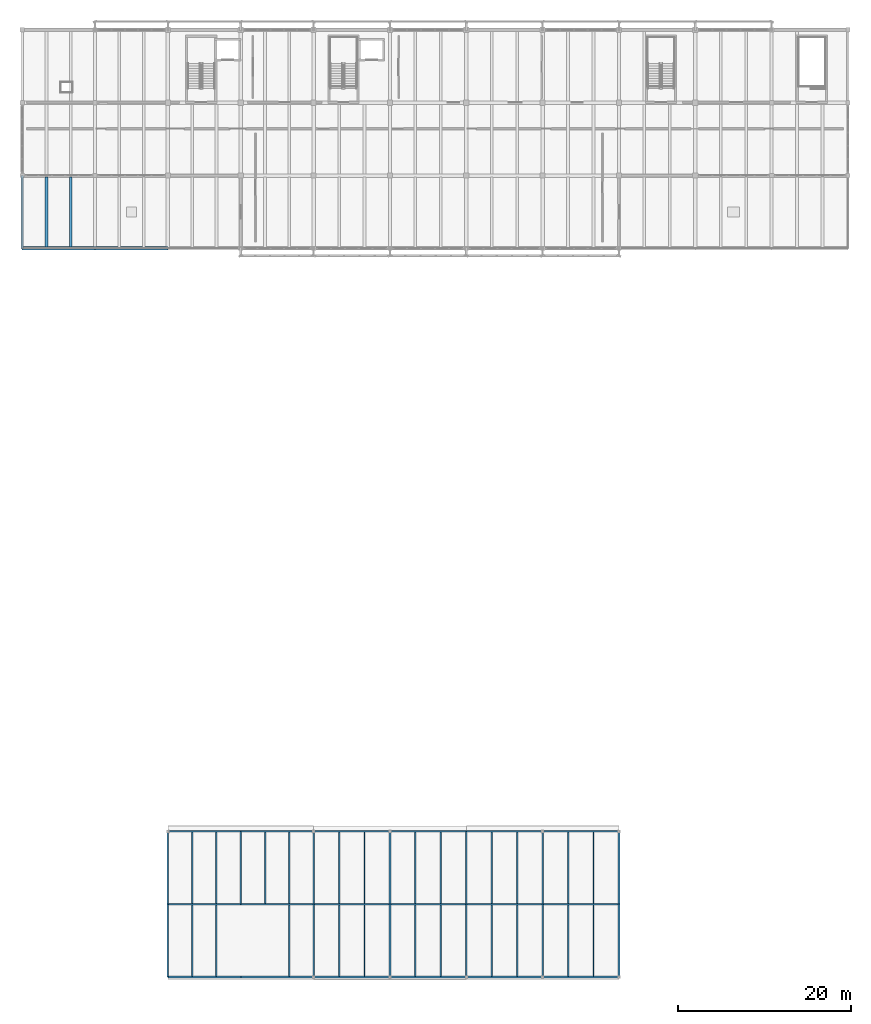
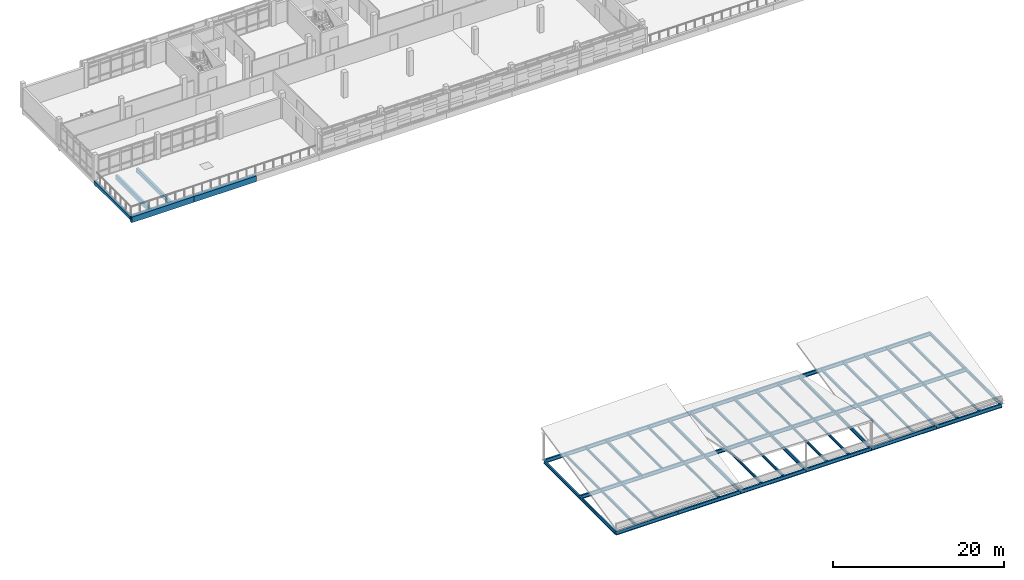
# One storey, part 7 of 50: 59 beams.
"""IFC4 building model written with IfcOpenShell, lengths in metres."""

from ifc_helpers import new_model, si_unit, direction, frame, origin, origin_2d, place, context, subcontext, project, spatial, rectangle, i_section, extrude, material, material_profile, profile_set, type_object, element, save


model = new_model("IFC4")

# Units and contexts
model_context = context("Model", 3, precision=1e-05, world=origin(), true_north=direction((0.0, 1.0)))
body_context = subcontext(model_context, "Body", "Model", "MODEL_VIEW")
ifc_project = project(units=[si_unit("LENGTHUNIT", "METRE"), si_unit("AREAUNIT", "SQUARE_METRE"), si_unit("VOLUMEUNIT", "CUBIC_METRE"), si_unit("PLANEANGLEUNIT", "RADIAN"), si_unit("MASSUNIT", "GRAM", prefix="KILO")], contexts=[model_context])

# Site, building, storey
site_placement = place(None, origin())
site = spatial("IfcSite", under=ifc_project, at=site_placement, CompositionType="ELEMENT")
building_placement = place(site_placement, origin())
building = spatial("IfcBuilding", under=site, at=building_placement, Name="Cinderway Yard Community Centre", CompositionType="ELEMENT")
storey_placement = place(building_placement, frame((0.0, 0.0, 12.89990234375)))
storey = spatial("IfcBuildingStorey", under=building, at=storey_placement, Name="L03", CompositionType="ELEMENT", Elevation=12.89990234375)

# Beams
ifc_material_1 = material(Name="Concrete C40/50", Category="concrete")
ifc_material_profile_1 = material_profile(ifc_material_1, rectangle(XDim=0.25, YDim=0.449951171875, at=origin_2d()), Name="Concrete C40/50")
ifc_profile_set_1 = profile_set([ifc_material_profile_1], Name="Concrete C40/50")
beam_type_1 = type_object("IfcBeamType", Name="STR-BM-RC250X450", PredefinedType="SPANDREL", material=ifc_profile_set_1)
beam_1_placement = place(storey_placement, frame((41.60009765625, 90.0, -0.46484375), z_axis=(0.0, 1.0, 0.0), x_axis=(-1.0, 0.0, 0.0)))
element("IfcBeam", 1, at=beam_1_placement, inside=storey, type_object=beam_type_1, Name="Transverse girder STR-BM-L03-SP02-0714", PredefinedType="SPANDREL", context=body_context, shape_type="SweptSolid", body=[
    extrude(rectangle(XDim=0.25, YDim=0.449951171875, at=origin_2d()), origin(), (0.0, 0.0, 1.0), 8.39990234375),
])
ifc_material_2 = material(Name="Concrete C35/45", Category="concrete")
ifc_material_profile_2 = material_profile(ifc_material_2, rectangle(XDim=0.300048828125, YDim=0.60009765625, at=origin_2d()), Name="Concrete C35/45")
ifc_profile_set_2 = profile_set([ifc_material_profile_2], Name="Concrete C35/45")
beam_type_2 = type_object("IfcBeamType", Name="STR-BM-RC300X600", PredefinedType="JOIST", material=ifc_profile_set_2)
for number, where, z_axis, x_axis, name in (
    (2, (44.39990234375, 90.181884765625, -0.539794921875), (0.0, 1.0, 0.0), (-1.0, 0.0, 0.0), "Secondary joist STR-BM-L03-BJ02-0750"),
    (3, (47.199951171875, 90.181884765625, -0.539794921875), (0.0, 1.0, 0.0), (-1.0, 0.0, 0.0), "Secondary joist STR-BM-L03-BJ02-0751"),
):
    element("IfcBeam", number, at=place(storey_placement, frame(where, z_axis=z_axis, x_axis=x_axis)), inside=storey, type_object=beam_type_2, Name=name, PredefinedType="JOIST", context=body_context, shape_type="SweptSolid", body=[
        extrude(rectangle(XDim=0.300048828125, YDim=0.60009765625, at=origin_2d()), origin(), (0.0, 0.0, 1.0), 8.0361328125),
    ])
ifc_material_profile_3 = material_profile(ifc_material_1, rectangle(XDim=0.39990234375, YDim=0.800048828125, at=origin_2d()), Name="Concrete C40/50")
ifc_profile_set_3 = profile_set([ifc_material_profile_3], Name="Concrete C40/50")
beam_type_3 = type_object("IfcBeamType", Name="STR-BM-RC400X800", PredefinedType="BEAM", material=ifc_profile_set_3)
for number, where, z_axis, x_axis, name in (
    (4, (41.60009765625, 90.0, -0.639892578125), (1.0, 0.0, 0.0), (0.0, 1.0, 0.0), "Primary girder STR-BM-L03-BG05-0670"),
    (5, (50.0, 90.0, -0.639892578125), (1.0, 0.0, 0.0), (0.0, 1.0, 0.0), "Primary girder STR-BM-L03-BG05-0671"),
):
    element("IfcBeam", number, at=place(storey_placement, frame(where, z_axis=z_axis, x_axis=x_axis)), inside=storey, type_object=beam_type_3, Name=name, PredefinedType="BEAM", context=body_context, shape_type="SweptSolid", body=[
        extrude(rectangle(XDim=0.39990234375, YDim=0.800048828125, at=origin_2d()), origin(), (0.0, 0.0, 1.0), 8.39990234375),
    ])
ifc_material_3 = material(Name="Steel S355", Category="steel")
ifc_material_profile_4 = material_profile(ifc_material_3, i_section(OverallWidth=0.172119140625, OverallDepth=0.35791015625, WebThickness=0.0078125, FlangeThickness=0.01318359375, FilletRadius=0.010986328125, at=origin_2d()), Name="Steel S355")
ifc_profile_set_4 = profile_set([ifc_material_profile_4], Name="Steel S355")
beam_type_4 = type_object("IfcBeamType", Name="STR-BM-W360X57", PredefinedType="JOIST", material=ifc_profile_set_4)
for number, where, z_axis, x_axis, name in (
    (6, (61.199951171875, 6.087890625, -0.178955078125), (0.0, 1.0, 0.0), (-1.0, 0.0, 0.0), "Secondary joist STR-BM-L03-SJ03-1064"),
    (7, (64.0, 6.087890625, -0.178955078125), (0.0, 1.0, 0.0), (-1.0, 0.0, 0.0), "Secondary joist STR-BM-L03-SJ03-1065"),
):
    element("IfcBeam", number, at=place(storey_placement, frame(where, z_axis=z_axis, x_axis=x_axis)), inside=storey, type_object=beam_type_4, Name=name, PredefinedType="JOIST", context=body_context, shape_type="SweptSolid", body=[
        extrude(i_section(OverallWidth=0.172119140625, OverallDepth=0.35791015625, WebThickness=0.0078125, FlangeThickness=0.01318359375, FilletRadius=0.010986328125, at=origin_2d()), origin(), (0.0, 0.0, 1.0), 8.22509765625),
    ])
for number, where, z_axis, x_axis, name in (
    (8, (61.199951171875, 14.487060546875, -0.178955078125), (0.0, 1.0, 0.0), (-1.0, 0.0, 0.0), "Secondary joist STR-BM-L03-SJ03-1066"),
    (9, (64.0, 14.487060546875, -0.178955078125), (0.0, 1.0, 0.0), (-1.0, 0.0, 0.0), "Secondary joist STR-BM-L03-SJ03-1067"),
):
    element("IfcBeam", number, at=place(storey_placement, frame(where, z_axis=z_axis, x_axis=x_axis)), inside=storey, type_object=beam_type_4, Name=name, PredefinedType="JOIST", context=body_context, shape_type="SweptSolid", body=[
        extrude(i_section(OverallWidth=0.172119140625, OverallDepth=0.35791015625, WebThickness=0.0078125, FlangeThickness=0.01318359375, FilletRadius=0.010986328125, at=origin_2d()), origin(), (0.0, 0.0, 1.0), 8.225830078125),
    ])
beam_2_placement = place(storey_placement, frame((72.39990234375, 6.087890625, -0.178955078125), z_axis=(0.0, 1.0, 0.0), x_axis=(-1.0, 0.0, 0.0)))
element("IfcBeam", 10, at=beam_2_placement, inside=storey, type_object=beam_type_4, Name="Secondary joist STR-BM-L03-SJ03-1068", PredefinedType="JOIST", context=body_context, shape_type="SweptSolid", body=[
    extrude(i_section(OverallWidth=0.172119140625, OverallDepth=0.35791015625, WebThickness=0.0078125, FlangeThickness=0.01318359375, FilletRadius=0.010986328125, at=origin_2d()), origin(), (0.0, 0.0, 1.0), 8.22509765625),
])
for number, where, z_axis, x_axis, name in (
    (11, (69.60009765625, 14.487060546875, -0.178955078125), (0.0, 1.0, 0.0), (-1.0, 0.0, 0.0), "Secondary joist STR-BM-L03-SJ03-1069"),
    (12, (72.39990234375, 14.487060546875, -0.178955078125), (0.0, 1.0, 0.0), (-1.0, 0.0, 0.0), "Secondary joist STR-BM-L03-SJ03-1070"),
):
    element("IfcBeam", number, at=place(storey_placement, frame(where, z_axis=z_axis, x_axis=x_axis)), inside=storey, type_object=beam_type_4, Name=name, PredefinedType="JOIST", context=body_context, shape_type="SweptSolid", body=[
        extrude(i_section(OverallWidth=0.172119140625, OverallDepth=0.35791015625, WebThickness=0.0078125, FlangeThickness=0.01318359375, FilletRadius=0.010986328125, at=origin_2d()), origin(), (0.0, 0.0, 1.0), 8.225830078125),
    ])
for number, where, z_axis, x_axis, name in (
    (13, (78.133056640625, 6.087890625, -0.178955078125), (0.0, 1.0, 0.0), (-1.0, 0.0, 0.0), "Secondary joist STR-BM-L03-SJ03-1071"),
    (14, (81.06689453125, 6.087890625, -0.178955078125), (0.0, 1.0, 0.0), (-1.0, 0.0, 0.0), "Secondary joist STR-BM-L03-SJ03-1072"),
):
    element("IfcBeam", number, at=place(storey_placement, frame(where, z_axis=z_axis, x_axis=x_axis)), inside=storey, type_object=beam_type_4, Name=name, PredefinedType="JOIST", context=body_context, shape_type="SweptSolid", body=[
        extrude(i_section(OverallWidth=0.172119140625, OverallDepth=0.35791015625, WebThickness=0.0078125, FlangeThickness=0.01318359375, FilletRadius=0.010986328125, at=origin_2d()), origin(), (0.0, 0.0, 1.0), 8.22509765625),
    ])
for number, where, z_axis, x_axis, name in (
    (15, (78.133056640625, 14.487060546875, -0.178955078125), (0.0, 1.0, 0.0), (-1.0, 0.0, 0.0), "Secondary joist STR-BM-L03-SJ03-1073"),
    (16, (81.06689453125, 14.487060546875, -0.178955078125), (0.0, 1.0, 0.0), (-1.0, 0.0, 0.0), "Secondary joist STR-BM-L03-SJ03-1074"),
):
    element("IfcBeam", number, at=place(storey_placement, frame(where, z_axis=z_axis, x_axis=x_axis)), inside=storey, type_object=beam_type_4, Name=name, PredefinedType="JOIST", context=body_context, shape_type="SweptSolid", body=[
        extrude(i_section(OverallWidth=0.172119140625, OverallDepth=0.35791015625, WebThickness=0.0078125, FlangeThickness=0.01318359375, FilletRadius=0.010986328125, at=origin_2d()), origin(), (0.0, 0.0, 1.0), 8.225830078125),
    ])
for number, where, z_axis, x_axis, name in (
    (17, (86.93310546875, 6.087890625, -0.178955078125), (0.0, 1.0, 0.0), (-1.0, 0.0, 0.0), "Secondary joist STR-BM-L03-SJ03-1075"),
    (18, (89.866943359375, 6.087890625, -0.178955078125), (0.0, 1.0, 0.0), (-1.0, 0.0, 0.0), "Secondary joist STR-BM-L03-SJ03-1076"),
):
    element("IfcBeam", number, at=place(storey_placement, frame(where, z_axis=z_axis, x_axis=x_axis)), inside=storey, type_object=beam_type_4, Name=name, PredefinedType="JOIST", context=body_context, shape_type="SweptSolid", body=[
        extrude(i_section(OverallWidth=0.172119140625, OverallDepth=0.35791015625, WebThickness=0.0078125, FlangeThickness=0.01318359375, FilletRadius=0.010986328125, at=origin_2d()), origin(), (0.0, 0.0, 1.0), 8.22509765625),
    ])
for number, where, z_axis, x_axis, name in (
    (19, (86.93310546875, 14.487060546875, -0.178955078125), (0.0, 1.0, 0.0), (-1.0, 0.0, 0.0), "Secondary joist STR-BM-L03-SJ03-1077"),
    (20, (89.866943359375, 14.487060546875, -0.178955078125), (0.0, 1.0, 0.0), (-1.0, 0.0, 0.0), "Secondary joist STR-BM-L03-SJ03-1078"),
):
    element("IfcBeam", number, at=place(storey_placement, frame(where, z_axis=z_axis, x_axis=x_axis)), inside=storey, type_object=beam_type_4, Name=name, PredefinedType="JOIST", context=body_context, shape_type="SweptSolid", body=[
        extrude(i_section(OverallWidth=0.172119140625, OverallDepth=0.35791015625, WebThickness=0.0078125, FlangeThickness=0.01318359375, FilletRadius=0.010986328125, at=origin_2d()), origin(), (0.0, 0.0, 1.0), 8.225830078125),
    ])
for number, where, z_axis, x_axis, name in (
    (21, (95.73291015625, 6.087890625, -0.178955078125), (0.0, 1.0, 0.0), (-1.0, 0.0, 0.0), "Secondary joist STR-BM-L03-SJ03-1079"),
    (22, (98.6669921875, 6.087890625, -0.178955078125), (0.0, 1.0, 0.0), (-1.0, 0.0, 0.0), "Secondary joist STR-BM-L03-SJ03-1080"),
):
    element("IfcBeam", number, at=place(storey_placement, frame(where, z_axis=z_axis, x_axis=x_axis)), inside=storey, type_object=beam_type_4, Name=name, PredefinedType="JOIST", context=body_context, shape_type="SweptSolid", body=[
        extrude(i_section(OverallWidth=0.172119140625, OverallDepth=0.35791015625, WebThickness=0.0078125, FlangeThickness=0.01318359375, FilletRadius=0.010986328125, at=origin_2d()), origin(), (0.0, 0.0, 1.0), 8.22509765625),
    ])
for number, where, z_axis, x_axis, name in (
    (23, (95.73291015625, 14.487060546875, -0.178955078125), (0.0, 1.0, 0.0), (-1.0, 0.0, 0.0), "Secondary joist STR-BM-L03-SJ03-1081"),
    (24, (98.6669921875, 14.487060546875, -0.178955078125), (0.0, 1.0, 0.0), (-1.0, 0.0, 0.0), "Secondary joist STR-BM-L03-SJ03-1082"),
):
    element("IfcBeam", number, at=place(storey_placement, frame(where, z_axis=z_axis, x_axis=x_axis)), inside=storey, type_object=beam_type_4, Name=name, PredefinedType="JOIST", context=body_context, shape_type="SweptSolid", body=[
        extrude(i_section(OverallWidth=0.172119140625, OverallDepth=0.35791015625, WebThickness=0.0078125, FlangeThickness=0.01318359375, FilletRadius=0.010986328125, at=origin_2d()), origin(), (0.0, 0.0, 1.0), 8.225830078125),
    ])
for number, where, z_axis, x_axis, name in (
    (25, (104.532958984375, 6.087890625, -0.178955078125), (0.0, 1.0, 0.0), (-1.0, 0.0, 0.0), "Secondary joist STR-BM-L03-SJ03-1083"),
    (26, (107.467041015625, 6.087890625, -0.178955078125), (0.0, 1.0, 0.0), (-1.0, 0.0, 0.0), "Secondary joist STR-BM-L03-SJ03-1084"),
):
    element("IfcBeam", number, at=place(storey_placement, frame(where, z_axis=z_axis, x_axis=x_axis)), inside=storey, type_object=beam_type_4, Name=name, PredefinedType="JOIST", context=body_context, shape_type="SweptSolid", body=[
        extrude(i_section(OverallWidth=0.172119140625, OverallDepth=0.35791015625, WebThickness=0.0078125, FlangeThickness=0.01318359375, FilletRadius=0.010986328125, at=origin_2d()), origin(), (0.0, 0.0, 1.0), 8.22509765625),
    ])
for number, where, z_axis, x_axis, name in (
    (27, (104.532958984375, 14.487060546875, -0.178955078125), (0.0, 1.0, 0.0), (-1.0, 0.0, 0.0), "Secondary joist STR-BM-L03-SJ03-1085"),
    (28, (107.467041015625, 14.487060546875, -0.178955078125), (0.0, 1.0, 0.0), (-1.0, 0.0, 0.0), "Secondary joist STR-BM-L03-SJ03-1086"),
):
    element("IfcBeam", number, at=place(storey_placement, frame(where, z_axis=z_axis, x_axis=x_axis)), inside=storey, type_object=beam_type_4, Name=name, PredefinedType="JOIST", context=body_context, shape_type="SweptSolid", body=[
        extrude(i_section(OverallWidth=0.172119140625, OverallDepth=0.35791015625, WebThickness=0.0078125, FlangeThickness=0.01318359375, FilletRadius=0.010986328125, at=origin_2d()), origin(), (0.0, 0.0, 1.0), 8.225830078125),
    ])
ifc_material_profile_5 = material_profile(ifc_material_3, i_section(OverallWidth=0.19091796875, OverallDepth=0.4599609375, WebThickness=0.010009765625, FlangeThickness=0.014404296875, FilletRadius=0.012939453125, at=origin_2d()), Name="Steel S355")
ifc_profile_set_5 = profile_set([ifc_material_profile_5], Name="Steel S355")
beam_type_5 = type_object("IfcBeamType", Name="STR-BM-W460X82", PredefinedType="JOIST", material=ifc_profile_set_5)
beam_3_placement = place(storey_placement, frame((58.39990234375, 6.0, -0.22998046875), z_axis=(0.0, 1.0, 0.0), x_axis=(-1.0, 0.0, 0.0)))
element("IfcBeam", 29, at=beam_3_placement, inside=storey, type_object=beam_type_5, Name="Transverse girder STR-BM-L03-SJ01-1051", PredefinedType="JOIST", context=body_context, shape_type="SweptSolid", body=[
    extrude(i_section(OverallWidth=0.19091796875, OverallDepth=0.4599609375, WebThickness=0.010009765625, FlangeThickness=0.014404296875, FilletRadius=0.012939453125, at=origin_2d()), origin(), (0.0, 0.0, 1.0), 8.39990234375),
])
for number, where, z_axis, x_axis, name in (
    (30, (58.39990234375, 14.39990234375, -0.22998046875), (0.0, 1.0, 0.0), (-1.0, 0.0, 0.0), "Transverse girder STR-BM-L03-SJ01-1052"),
    (31, (66.800048828125, 14.39990234375, -0.22998046875), (0.0, 1.0, 0.0), (-1.0, 0.0, 0.0), "Transverse girder STR-BM-L03-SJ01-1053"),
):
    element("IfcBeam", number, at=place(storey_placement, frame(where, z_axis=z_axis, x_axis=x_axis)), inside=storey, type_object=beam_type_5, Name=name, PredefinedType="JOIST", context=body_context, shape_type="SweptSolid", body=[
        extrude(i_section(OverallWidth=0.19091796875, OverallDepth=0.4599609375, WebThickness=0.010009765625, FlangeThickness=0.014404296875, FilletRadius=0.012939453125, at=origin_2d()), origin(), (0.0, 0.0, 1.0), 8.400146484375),
    ])
beam_4_placement = place(storey_placement, frame((75.199951171875, 6.0, -0.22998046875), z_axis=(0.0, 1.0, 0.0), x_axis=(-1.0, 0.0, 0.0)))
element("IfcBeam", 32, at=beam_4_placement, inside=storey, type_object=beam_type_5, Name="Transverse girder STR-BM-L03-SJ01-1054", PredefinedType="JOIST", context=body_context, shape_type="SweptSolid", body=[
    extrude(i_section(OverallWidth=0.19091796875, OverallDepth=0.4599609375, WebThickness=0.010009765625, FlangeThickness=0.014404296875, FilletRadius=0.012939453125, at=origin_2d()), origin(), (0.0, 0.0, 1.0), 8.39990234375),
])
beam_5_placement = place(storey_placement, frame((75.199951171875, 14.39990234375, -0.22998046875), z_axis=(0.0, 1.0, 0.0), x_axis=(-1.0, 0.0, 0.0)))
element("IfcBeam", 33, at=beam_5_placement, inside=storey, type_object=beam_type_5, Name="Transverse girder STR-BM-L03-SJ01-1055", PredefinedType="JOIST", context=body_context, shape_type="SweptSolid", body=[
    extrude(i_section(OverallWidth=0.19091796875, OverallDepth=0.4599609375, WebThickness=0.010009765625, FlangeThickness=0.014404296875, FilletRadius=0.012939453125, at=origin_2d()), origin(), (0.0, 0.0, 1.0), 8.400146484375),
])
beam_6_placement = place(storey_placement, frame((84.0, 6.0, -0.22998046875), z_axis=(0.0, 1.0, 0.0), x_axis=(-1.0, 0.0, 0.0)))
element("IfcBeam", 34, at=beam_6_placement, inside=storey, type_object=beam_type_5, Name="Transverse girder STR-BM-L03-SJ01-1056", PredefinedType="JOIST", context=body_context, shape_type="SweptSolid", body=[
    extrude(i_section(OverallWidth=0.19091796875, OverallDepth=0.4599609375, WebThickness=0.010009765625, FlangeThickness=0.014404296875, FilletRadius=0.012939453125, at=origin_2d()), origin(), (0.0, 0.0, 1.0), 8.39990234375),
])
beam_7_placement = place(storey_placement, frame((84.0, 14.39990234375, -0.22998046875), z_axis=(0.0, 1.0, 0.0), x_axis=(-1.0, 0.0, 0.0)))
element("IfcBeam", 35, at=beam_7_placement, inside=storey, type_object=beam_type_5, Name="Transverse girder STR-BM-L03-SJ01-1057", PredefinedType="JOIST", context=body_context, shape_type="SweptSolid", body=[
    extrude(i_section(OverallWidth=0.19091796875, OverallDepth=0.4599609375, WebThickness=0.010009765625, FlangeThickness=0.014404296875, FilletRadius=0.012939453125, at=origin_2d()), origin(), (0.0, 0.0, 1.0), 8.400146484375),
])
beam_8_placement = place(storey_placement, frame((92.800048828125, 6.0, -0.22998046875), z_axis=(0.0, 1.0, 0.0), x_axis=(-1.0, 0.0, 0.0)))
element("IfcBeam", 36, at=beam_8_placement, inside=storey, type_object=beam_type_5, Name="Transverse girder STR-BM-L03-SJ01-1058", PredefinedType="JOIST", context=body_context, shape_type="SweptSolid", body=[
    extrude(i_section(OverallWidth=0.19091796875, OverallDepth=0.4599609375, WebThickness=0.010009765625, FlangeThickness=0.014404296875, FilletRadius=0.012939453125, at=origin_2d()), origin(), (0.0, 0.0, 1.0), 8.39990234375),
])
beam_9_placement = place(storey_placement, frame((92.800048828125, 14.39990234375, -0.22998046875), z_axis=(0.0, 1.0, 0.0), x_axis=(-1.0, 0.0, 0.0)))
element("IfcBeam", 37, at=beam_9_placement, inside=storey, type_object=beam_type_5, Name="Transverse girder STR-BM-L03-SJ01-1059", PredefinedType="JOIST", context=body_context, shape_type="SweptSolid", body=[
    extrude(i_section(OverallWidth=0.19091796875, OverallDepth=0.4599609375, WebThickness=0.010009765625, FlangeThickness=0.014404296875, FilletRadius=0.012939453125, at=origin_2d()), origin(), (0.0, 0.0, 1.0), 8.400146484375),
])
beam_10_placement = place(storey_placement, frame((101.60009765625, 6.0, -0.22998046875), z_axis=(0.0, 1.0, 0.0), x_axis=(-1.0, 0.0, 0.0)))
element("IfcBeam", 38, at=beam_10_placement, inside=storey, type_object=beam_type_5, Name="Transverse girder STR-BM-L03-SJ01-1060", PredefinedType="JOIST", context=body_context, shape_type="SweptSolid", body=[
    extrude(i_section(OverallWidth=0.19091796875, OverallDepth=0.4599609375, WebThickness=0.010009765625, FlangeThickness=0.014404296875, FilletRadius=0.012939453125, at=origin_2d()), origin(), (0.0, 0.0, 1.0), 8.39990234375),
])
beam_11_placement = place(storey_placement, frame((101.60009765625, 14.39990234375, -0.22998046875), z_axis=(0.0, 1.0, 0.0), x_axis=(-1.0, 0.0, 0.0)))
element("IfcBeam", 39, at=beam_11_placement, inside=storey, type_object=beam_type_5, Name="Transverse girder STR-BM-L03-SJ01-1061", PredefinedType="JOIST", context=body_context, shape_type="SweptSolid", body=[
    extrude(i_section(OverallWidth=0.19091796875, OverallDepth=0.4599609375, WebThickness=0.010009765625, FlangeThickness=0.014404296875, FilletRadius=0.012939453125, at=origin_2d()), origin(), (0.0, 0.0, 1.0), 8.400146484375),
])
beam_12_placement = place(storey_placement, frame((110.39990234375, 6.0, -0.22998046875), z_axis=(0.0, 1.0, 0.0), x_axis=(-1.0, 0.0, 0.0)))
element("IfcBeam", 40, at=beam_12_placement, inside=storey, type_object=beam_type_5, Name="Transverse girder STR-BM-L03-SJ01-1062", PredefinedType="JOIST", context=body_context, shape_type="SweptSolid", body=[
    extrude(i_section(OverallWidth=0.19091796875, OverallDepth=0.4599609375, WebThickness=0.010009765625, FlangeThickness=0.014404296875, FilletRadius=0.012939453125, at=origin_2d()), origin(), (0.0, 0.0, 1.0), 8.39990234375),
])
beam_13_placement = place(storey_placement, frame((110.39990234375, 14.39990234375, -0.22998046875), z_axis=(0.0, 1.0, 0.0), x_axis=(-1.0, 0.0, 0.0)))
element("IfcBeam", 41, at=beam_13_placement, inside=storey, type_object=beam_type_5, Name="Transverse girder STR-BM-L03-SJ01-1063", PredefinedType="JOIST", context=body_context, shape_type="SweptSolid", body=[
    extrude(i_section(OverallWidth=0.19091796875, OverallDepth=0.4599609375, WebThickness=0.010009765625, FlangeThickness=0.014404296875, FilletRadius=0.012939453125, at=origin_2d()), origin(), (0.0, 0.0, 1.0), 8.400146484375),
])
ifc_material_profile_6 = material_profile(ifc_material_3, i_section(OverallWidth=0.2109375, OverallDepth=0.5390625, WebThickness=0.010986328125, FlangeThickness=0.017333984375, FilletRadius=0.013916015625, at=origin_2d()), Name="Steel S355")
ifc_profile_set_6 = profile_set([ifc_material_profile_6], Name="Steel S355")
beam_type_6 = type_object("IfcBeamType", Name="STR-BM-W530X109", PredefinedType="BEAM", material=ifc_profile_set_6)
beam_14_placement = place(storey_placement, frame((58.39990234375, 6.0, -0.27001953125), z_axis=(1.0, 0.0, 0.0), x_axis=(0.0, 1.0, 0.0)))
element("IfcBeam", 42, at=beam_14_placement, inside=storey, type_object=beam_type_6, Name="Primary girder STR-BM-L03-SB06-1033", PredefinedType="BEAM", context=body_context, shape_type="SweptSolid", body=[
    extrude(i_section(OverallWidth=0.2109375, OverallDepth=0.5390625, WebThickness=0.010986328125, FlangeThickness=0.017333984375, FilletRadius=0.013916015625, at=origin_2d()), origin(), (0.0, 0.0, 1.0), 8.400146484375),
])
beam_15_placement = place(storey_placement, frame((66.800048828125, 6.0, -0.27001953125), z_axis=(1.0, 0.0, 0.0), x_axis=(0.0, 1.0, 0.0)))
element("IfcBeam", 43, at=beam_15_placement, inside=storey, type_object=beam_type_6, Name="Primary girder STR-BM-L03-SB06-1034", PredefinedType="BEAM", context=body_context, shape_type="SweptSolid", body=[
    extrude(i_section(OverallWidth=0.2109375, OverallDepth=0.5390625, WebThickness=0.010986328125, FlangeThickness=0.017333984375, FilletRadius=0.013916015625, at=origin_2d()), origin(), (0.0, 0.0, 1.0), 8.39990234375),
])
for number, where, z_axis, x_axis, name in (
    (44, (75.199951171875, 6.0, -0.27001953125), (1.0, 0.0, 0.0), (0.0, 1.0, 0.0), "Primary girder STR-BM-L03-SB06-1035"),
    (45, (84.0, 6.0, -0.27001953125), (1.0, 0.0, 0.0), (0.0, 1.0, 0.0), "Primary girder STR-BM-L03-SB06-1036"),
    (46, (92.800048828125, 6.0, -0.27001953125), (1.0, 0.0, 0.0), (0.0, 1.0, 0.0), "Primary girder STR-BM-L03-SB06-1037"),
):
    element("IfcBeam", number, at=place(storey_placement, frame(where, z_axis=z_axis, x_axis=x_axis)), inside=storey, type_object=beam_type_6, Name=name, PredefinedType="BEAM", context=body_context, shape_type="SweptSolid", body=[
        extrude(i_section(OverallWidth=0.2109375, OverallDepth=0.5390625, WebThickness=0.010986328125, FlangeThickness=0.017333984375, FilletRadius=0.013916015625, at=origin_2d()), origin(), (0.0, 0.0, 1.0), 8.800048828125),
    ])
beam_16_placement = place(storey_placement, frame((101.60009765625, 6.0, -0.27001953125), z_axis=(1.0, 0.0, 0.0), x_axis=(0.0, 1.0, 0.0)))
element("IfcBeam", 47, at=beam_16_placement, inside=storey, type_object=beam_type_6, Name="Primary girder STR-BM-L03-SB06-1038", PredefinedType="BEAM", context=body_context, shape_type="SweptSolid", body=[
    extrude(i_section(OverallWidth=0.2109375, OverallDepth=0.5390625, WebThickness=0.010986328125, FlangeThickness=0.017333984375, FilletRadius=0.013916015625, at=origin_2d()), origin(), (0.0, 0.0, 1.0), 8.7998046875),
])
beam_17_placement = place(storey_placement, frame((58.39990234375, 14.39990234375, -0.27001953125), z_axis=(1.0, 0.0, 0.0), x_axis=(0.0, 1.0, 0.0)))
element("IfcBeam", 48, at=beam_17_placement, inside=storey, type_object=beam_type_6, Name="Primary girder STR-BM-L03-SB06-1039", PredefinedType="BEAM", context=body_context, shape_type="SweptSolid", body=[
    extrude(i_section(OverallWidth=0.2109375, OverallDepth=0.5390625, WebThickness=0.010986328125, FlangeThickness=0.017333984375, FilletRadius=0.013916015625, at=origin_2d()), origin(), (0.0, 0.0, 1.0), 8.400146484375),
])
beam_18_placement = place(storey_placement, frame((66.800048828125, 14.39990234375, -0.27001953125), z_axis=(1.0, 0.0, 0.0), x_axis=(0.0, 1.0, 0.0)))
element("IfcBeam", 49, at=beam_18_placement, inside=storey, type_object=beam_type_6, Name="Primary girder STR-BM-L03-SB06-1040", PredefinedType="BEAM", context=body_context, shape_type="SweptSolid", body=[
    extrude(i_section(OverallWidth=0.2109375, OverallDepth=0.5390625, WebThickness=0.010986328125, FlangeThickness=0.017333984375, FilletRadius=0.013916015625, at=origin_2d()), origin(), (0.0, 0.0, 1.0), 8.39990234375),
])
for number, where, z_axis, x_axis, name in (
    (50, (75.199951171875, 14.39990234375, -0.27001953125), (1.0, 0.0, 0.0), (0.0, 1.0, 0.0), "Primary girder STR-BM-L03-SB06-1041"),
    (51, (84.0, 14.39990234375, -0.27001953125), (1.0, 0.0, 0.0), (0.0, 1.0, 0.0), "Primary girder STR-BM-L03-SB06-1042"),
    (52, (92.800048828125, 14.39990234375, -0.27001953125), (1.0, 0.0, 0.0), (0.0, 1.0, 0.0), "Primary girder STR-BM-L03-SB06-1043"),
):
    element("IfcBeam", number, at=place(storey_placement, frame(where, z_axis=z_axis, x_axis=x_axis)), inside=storey, type_object=beam_type_6, Name=name, PredefinedType="BEAM", context=body_context, shape_type="SweptSolid", body=[
        extrude(i_section(OverallWidth=0.2109375, OverallDepth=0.5390625, WebThickness=0.010986328125, FlangeThickness=0.017333984375, FilletRadius=0.013916015625, at=origin_2d()), origin(), (0.0, 0.0, 1.0), 8.800048828125),
    ])
beam_19_placement = place(storey_placement, frame((101.60009765625, 14.39990234375, -0.27001953125), z_axis=(1.0, 0.0, 0.0), x_axis=(0.0, 1.0, 0.0)))
element("IfcBeam", 53, at=beam_19_placement, inside=storey, type_object=beam_type_6, Name="Primary girder STR-BM-L03-SB06-1044", PredefinedType="BEAM", context=body_context, shape_type="SweptSolid", body=[
    extrude(i_section(OverallWidth=0.2109375, OverallDepth=0.5390625, WebThickness=0.010986328125, FlangeThickness=0.017333984375, FilletRadius=0.013916015625, at=origin_2d()), origin(), (0.0, 0.0, 1.0), 8.7998046875),
])
beam_20_placement = place(storey_placement, frame((58.39990234375, 22.800048828125, -0.27001953125), z_axis=(1.0, 0.0, 0.0), x_axis=(0.0, 1.0, 0.0)))
element("IfcBeam", 54, at=beam_20_placement, inside=storey, type_object=beam_type_6, Name="Primary girder STR-BM-L03-SB06-1045", PredefinedType="BEAM", context=body_context, shape_type="SweptSolid", body=[
    extrude(i_section(OverallWidth=0.2109375, OverallDepth=0.5390625, WebThickness=0.010986328125, FlangeThickness=0.017333984375, FilletRadius=0.013916015625, at=origin_2d()), origin(), (0.0, 0.0, 1.0), 8.400146484375),
])
beam_21_placement = place(storey_placement, frame((66.800048828125, 22.800048828125, -0.27001953125), z_axis=(1.0, 0.0, 0.0), x_axis=(0.0, 1.0, 0.0)))
element("IfcBeam", 55, at=beam_21_placement, inside=storey, type_object=beam_type_6, Name="Primary girder STR-BM-L03-SB06-1046", PredefinedType="BEAM", context=body_context, shape_type="SweptSolid", body=[
    extrude(i_section(OverallWidth=0.2109375, OverallDepth=0.5390625, WebThickness=0.010986328125, FlangeThickness=0.017333984375, FilletRadius=0.013916015625, at=origin_2d()), origin(), (0.0, 0.0, 1.0), 8.39990234375),
])
for number, where, z_axis, x_axis, name in (
    (56, (75.199951171875, 22.800048828125, -0.27001953125), (1.0, 0.0, 0.0), (0.0, 1.0, 0.0), "Primary girder STR-BM-L03-SB06-1047"),
    (57, (84.0, 22.800048828125, -0.27001953125), (1.0, 0.0, 0.0), (0.0, 1.0, 0.0), "Primary girder STR-BM-L03-SB06-1048"),
    (58, (92.800048828125, 22.800048828125, -0.27001953125), (1.0, 0.0, 0.0), (0.0, 1.0, 0.0), "Primary girder STR-BM-L03-SB06-1049"),
):
    element("IfcBeam", number, at=place(storey_placement, frame(where, z_axis=z_axis, x_axis=x_axis)), inside=storey, type_object=beam_type_6, Name=name, PredefinedType="BEAM", context=body_context, shape_type="SweptSolid", body=[
        extrude(i_section(OverallWidth=0.2109375, OverallDepth=0.5390625, WebThickness=0.010986328125, FlangeThickness=0.017333984375, FilletRadius=0.013916015625, at=origin_2d()), origin(), (0.0, 0.0, 1.0), 8.800048828125),
    ])
beam_22_placement = place(storey_placement, frame((101.60009765625, 22.800048828125, -0.27001953125), z_axis=(1.0, 0.0, 0.0), x_axis=(0.0, 1.0, 0.0)))
element("IfcBeam", 59, at=beam_22_placement, inside=storey, type_object=beam_type_6, Name="Primary girder STR-BM-L03-SB06-1050", PredefinedType="BEAM", context=body_context, shape_type="SweptSolid", body=[
    extrude(i_section(OverallWidth=0.2109375, OverallDepth=0.5390625, WebThickness=0.010986328125, FlangeThickness=0.017333984375, FilletRadius=0.013916015625, at=origin_2d()), origin(), (0.0, 0.0, 1.0), 8.7998046875),
])

save(model, "model.ifc")
